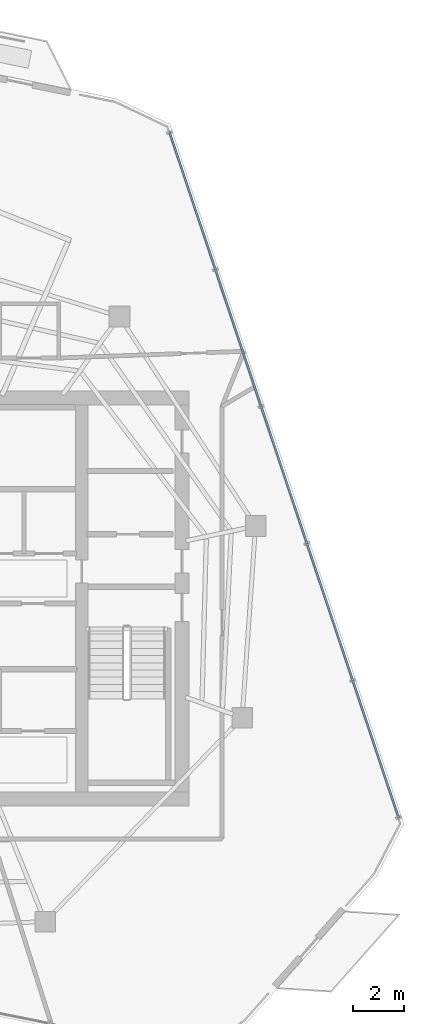
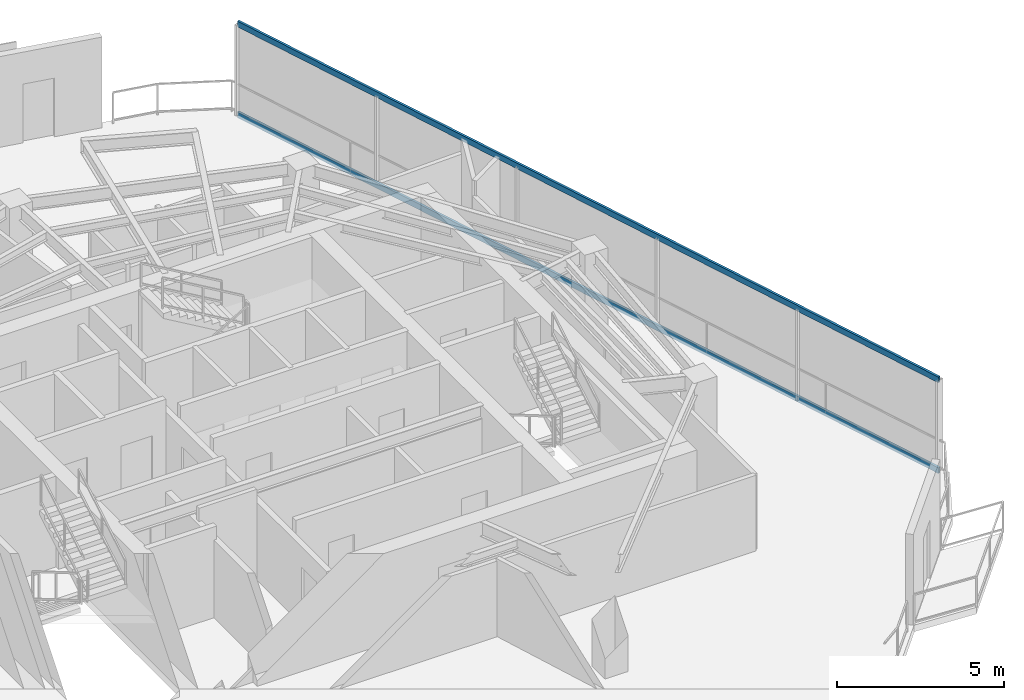
# One storey, part 11 of 18: 2 members, 1 element without a shape of its own.
"""IFC4 building model written with IfcOpenShell, lengths in metres."""

from ifc_helpers import new_model, si_unit, direction, frame, origin, origin_2d, place, context, subcontext, project, spatial, hollow_rectangle, extrude, material, layer, layer_set, material_profile, profile_set, type_object, element, aggregate, save


model = new_model("IFC4")

# Units and contexts
model_context = context("Model", 3, precision=1e-05, world=origin(), true_north=direction((0.0, 1.0)))
body_context = subcontext(model_context, "Body", "Model", "MODEL_VIEW")
ifc_project = project(units=[si_unit("LENGTHUNIT", "METRE"), si_unit("AREAUNIT", "SQUARE_METRE"), si_unit("VOLUMEUNIT", "CUBIC_METRE"), si_unit("PLANEANGLEUNIT", "RADIAN"), si_unit("MASSUNIT", "GRAM", prefix="KILO")], contexts=[model_context])

# Site, building, storey
site_placement = place(None, origin())
site = spatial("IfcSite", under=ifc_project, at=site_placement, CompositionType="ELEMENT")
building_placement = place(site_placement, origin())
building = spatial("IfcBuilding", under=site, at=building_placement, Name="Qarnah Convention Tower", CompositionType="ELEMENT")
storey_placement = place(building_placement, frame((0.0, 0.0, 249.89990234375)))
storey = spatial("IfcBuildingStorey", under=building, at=storey_placement, Name="L67", CompositionType="ELEMENT", Elevation=249.89990234375)

# Curtain wall, members
ifc_material_1 = material(Name="Tempered Low-E dark glass", Category="glass")
ifc_layer = layer(ifc_material_1, 0.176025390625)
ifc_layer_set = layer_set([ifc_layer], Name="Tempered Low-E dark glass")
curtain_wall_type = type_object("IfcCurtainWallType", Name="CWS-05", PredefinedType="NOTDEFINED", material=ifc_layer_set)
curtain_wall_placement = place(storey_placement, origin())
curtain_wall = element("IfcCurtainWall", 1, at=curtain_wall_placement, inside=storey, type_object=curtain_wall_type, Name="L67 unitised curtain wall CW-L67-F1", PredefinedType="NOTDEFINED")
ifc_material_2 = material(Name="Black anodised aluminium", Category="aluminium")
ifc_material_profile = material_profile(ifc_material_2, hollow_rectangle(XDim=0.080078125, YDim=0.2099609375, WallThickness=0.0048828125, at=origin_2d()), Name="TRN-80X210")
ifc_profile_set = profile_set([ifc_material_profile], Name="Black anodised aluminium")
member_type = type_object("IfcMemberType", Name="TRN-T5", PredefinedType="USERDEFINED", material=ifc_profile_set)
member_1_placement = place(storey_placement, frame((47.114990234375, 44.514892578125, 0.0), z_axis=(0.316984170187, -0.948430828185, 0.0), x_axis=(0.948430828185, 0.316984170187, 0.0)))
member_1 = element("IfcMember", 2, at=member_1_placement, type_object=member_type, Name="CW-L67-F1 transom 1", ObjectType="TRANSOM", PredefinedType="USERDEFINED", context=body_context, shape_type="SweptSolid", body=[
    extrude(hollow_rectangle(XDim=0.080078125, YDim=0.2099609375, WallThickness=0.0048828125, at=origin_2d()), origin(), (0.0, 0.0, 1.0), 28.076904296875),
])
member_2_placement = place(storey_placement, frame((47.114990234375, 44.514892578125, 3.320068359375), z_axis=(0.316984170187, -0.948430828185, 0.0), x_axis=(0.948430828185, 0.316984170187, 0.0)))
member_2 = element("IfcMember", 3, at=member_2_placement, type_object=member_type, Name="CW-L67-F1 transom 2", ObjectType="TRANSOM", PredefinedType="USERDEFINED", context=body_context, shape_type="SweptSolid", body=[
    extrude(hollow_rectangle(XDim=0.080078125, YDim=0.2099609375, WallThickness=0.0048828125, at=origin_2d()), origin(), (0.0, 0.0, 1.0), 28.076904296875),
])
aggregate(curtain_wall, [member_1, member_2])

save(model, "model.ifc")
